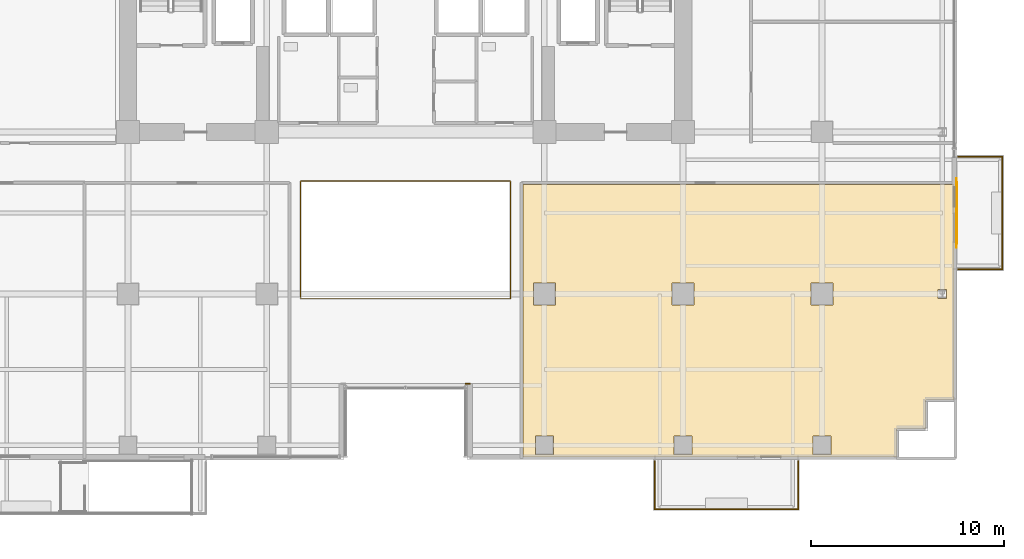
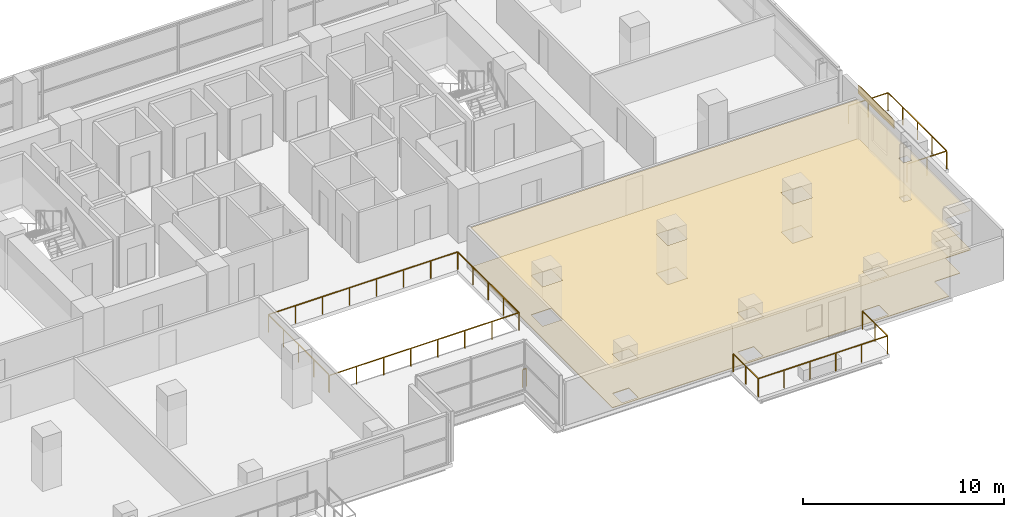
# One storey, part 28 of 30: 4 railings, 3 coverings, 1 shading device.
"""IFC4 building model written with IfcOpenShell, lengths in metres."""

from ifc_helpers import new_model, si_unit, direction, frame, origin, origin_2d, place, context, subcontext, project, spatial, polyline, rectangle, outline, extrude, source, transform, mapped, material, layer, layer_set, type_object, element, save


model = new_model("IFC4")

# Units and contexts
model_context = context("Model", 3, precision=1e-05, world=origin(), true_north=direction((0.0, 1.0)))
body_context = subcontext(model_context, "Body", "Model", "MODEL_VIEW")
ifc_project = project(units=[si_unit("LENGTHUNIT", "METRE"), si_unit("AREAUNIT", "SQUARE_METRE"), si_unit("VOLUMEUNIT", "CUBIC_METRE"), si_unit("PLANEANGLEUNIT", "RADIAN"), si_unit("MASSUNIT", "GRAM", prefix="KILO")], contexts=[model_context])

# Site, building, storey
site_placement = place(None, origin())
site = spatial("IfcSite", under=ifc_project, at=site_placement, CompositionType="ELEMENT")
building_placement = place(site_placement, origin())
building = spatial("IfcBuilding", under=site, at=building_placement, Name="Zarnakvel Exchange Tower", CompositionType="ELEMENT")
storey_placement = place(building_placement, frame((0.0, 0.0, 30.699951171875)))
storey = spatial("IfcBuildingStorey", under=building, at=storey_placement, Name="L07", CompositionType="ELEMENT", Elevation=30.699951171875)

# Coverings
ifc_material_1 = material(Name="Perforated Bronze Acoustic Metal Ceiling", Category="aluminium")
ifc_layer_1 = layer(ifc_material_1, 0.02001953125)
ifc_layer_set_1 = layer_set([ifc_layer_1], Name="Perforated Bronze Acoustic Metal Ceiling")
covering_type_1 = type_object("IfcCoveringType", Name="CLG-01", PredefinedType="CEILING", material=ifc_layer_set_1)
covering_1_placement = place(storey_placement, frame((0.0, 0.0, 2.405029296875)))
element("IfcCovering", 1, at=covering_1_placement, inside=storey, type_object=covering_type_1, Name="L07 Suspended Acoustic Ceiling (Executive Office)", PredefinedType="CEILING", context=body_context, shape_type="SweptSolid", body=[
    extrude(outline(polyline([(6.10009765625, -3.909912109375), (28.449951171875, -3.909912109375), (28.449951171875, -15.080078125), (27.10009765625, -15.080078125), (27.088134765625, -15.08056640625), (27.07666015625, -15.082275390625), (27.065185546875, -15.085205078125), (27.05419921875, -15.089111328125), (27.04345703125, -15.09423828125), (27.033447265625, -15.100341796875), (27.02392578125, -15.107177734375), (27.01513671875, -15.115234375), (27.00732421875, -15.123779296875), (27.000244140625, -15.13330078125), (26.994140625, -15.143310546875), (26.989013671875, -15.154052734375), (26.985107421875, -15.165283203125), (26.982421875, -15.176513671875), (26.98046875, -15.188232421875), (26.97998046875, -15.199951171875), (26.97998046875, -16.580078125), (25.60009765625, -16.580078125), (25.588134765625, -16.58056640625), (25.57666015625, -16.582275390625), (25.565185546875, -16.585205078125), (25.55419921875, -16.589111328125), (25.54345703125, -16.59423828125), (25.533447265625, -16.600341796875), (25.52392578125, -16.607177734375), (25.51513671875, -16.615234375), (25.50732421875, -16.623779296875), (25.500244140625, -16.63330078125), (25.494140625, -16.643310546875), (25.489013671875, -16.654052734375), (25.485107421875, -16.665283203125), (25.482421875, -16.676513671875), (25.48046875, -16.688232421875), (25.47998046875, -16.699951171875), (25.47998046875, -18.050048828125), (6.10009765625, -18.050048828125), (6.10009765625, -3.909912109375)]), holes=[polyline([(28.075927734375, -9.83251953125), (28.075927734375, -9.367431640625), (27.6240234375, -9.367431640625), (27.6240234375, -9.83251953125), (28.075927734375, -9.83251953125)]), polyline([(22.169921875, -10.169921875), (22.169921875, -9.030029296875), (21.030029296875, -9.030029296875), (21.030029296875, -10.169921875), (22.169921875, -10.169921875)]), polyline([(22.070068359375, -17.919921875), (22.070068359375, -16.97998046875), (21.1298828125, -16.97998046875), (21.1298828125, -17.919921875), (22.070068359375, -17.919921875)]), polyline([(13.830078125, -10.169921875), (14.969970703125, -10.169921875), (14.969970703125, -9.030029296875), (13.830078125, -9.030029296875), (13.830078125, -10.169921875)]), polyline([(14.8701171875, -17.919921875), (14.8701171875, -16.97998046875), (13.929931640625, -16.97998046875), (13.929931640625, -17.919921875), (14.8701171875, -17.919921875)]), polyline([(6.6298828125, -10.169921875), (7.77001953125, -10.169921875), (7.77001953125, -9.030029296875), (6.6298828125, -9.030029296875), (6.6298828125, -10.169921875)]), polyline([(7.669921875, -17.919921875), (7.669921875, -16.97998046875), (6.72998046875, -16.97998046875), (6.72998046875, -17.919921875), (7.669921875, -17.919921875)])]), origin(), (0.0, 0.0, 1.0), 0.02001953125),
])
ifc_material_2 = material(Name="Heavy-Duty Raised Access Floor Panel", Category="steel")
ifc_layer_2 = layer(ifc_material_2, 0.034912109375)
ifc_layer_set_2 = layer_set([ifc_layer_2], Name="Heavy-Duty Raised Access Floor Panel")
covering_type_2 = type_object("IfcCoveringType", Name="FLR-02", PredefinedType="FLOORING", material=ifc_layer_set_2)
covering_2_placement = place(storey_placement, origin())
element("IfcCovering", 2, at=covering_2_placement, inside=storey, type_object=covering_type_2, Name="L07 Floor Finish (Executive Office)", PredefinedType="FLOORING", context=body_context, shape_type="SweptSolid", body=[
    extrude(outline(polyline([(6.10009765625, -3.909912109375), (28.449951171875, -3.909912109375), (28.449951171875, -15.080078125), (27.10009765625, -15.080078125), (27.088134765625, -15.08056640625), (27.07666015625, -15.082275390625), (27.065185546875, -15.085205078125), (27.05419921875, -15.089111328125), (27.04345703125, -15.09423828125), (27.033447265625, -15.100341796875), (27.02392578125, -15.107177734375), (27.01513671875, -15.115234375), (27.00732421875, -15.123779296875), (27.000244140625, -15.13330078125), (26.994140625, -15.143310546875), (26.989013671875, -15.154052734375), (26.985107421875, -15.165283203125), (26.982421875, -15.176513671875), (26.98046875, -15.188232421875), (26.97998046875, -15.199951171875), (26.97998046875, -16.580078125), (25.60009765625, -16.580078125), (25.588134765625, -16.58056640625), (25.57666015625, -16.582275390625), (25.565185546875, -16.585205078125), (25.55419921875, -16.589111328125), (25.54345703125, -16.59423828125), (25.533447265625, -16.600341796875), (25.52392578125, -16.607177734375), (25.51513671875, -16.615234375), (25.50732421875, -16.623779296875), (25.500244140625, -16.63330078125), (25.494140625, -16.643310546875), (25.489013671875, -16.654052734375), (25.485107421875, -16.665283203125), (25.482421875, -16.676513671875), (25.48046875, -16.688232421875), (25.47998046875, -16.699951171875), (25.47998046875, -18.050048828125), (6.10009765625, -18.050048828125), (6.10009765625, -3.909912109375)]), holes=[polyline([(28.075927734375, -9.83251953125), (28.075927734375, -9.367431640625), (27.6240234375, -9.367431640625), (27.6240234375, -9.83251953125), (28.075927734375, -9.83251953125)]), polyline([(22.169921875, -10.169921875), (22.169921875, -9.030029296875), (21.030029296875, -9.030029296875), (21.030029296875, -10.169921875), (22.169921875, -10.169921875)]), polyline([(22.070068359375, -17.919921875), (22.070068359375, -16.97998046875), (21.1298828125, -16.97998046875), (21.1298828125, -17.919921875), (22.070068359375, -17.919921875)]), polyline([(13.830078125, -10.169921875), (14.969970703125, -10.169921875), (14.969970703125, -9.030029296875), (13.830078125, -9.030029296875), (13.830078125, -10.169921875)]), polyline([(14.8701171875, -17.919921875), (14.8701171875, -16.97998046875), (13.929931640625, -16.97998046875), (13.929931640625, -17.919921875), (14.8701171875, -17.919921875)]), polyline([(6.6298828125, -10.169921875), (7.77001953125, -10.169921875), (7.77001953125, -9.030029296875), (6.6298828125, -9.030029296875), (6.6298828125, -10.169921875)]), polyline([(7.669921875, -17.919921875), (7.669921875, -16.97998046875), (6.72998046875, -16.97998046875), (6.72998046875, -17.919921875), (7.669921875, -17.919921875)])]), origin(), (0.0, 0.0, 1.0), 0.03515625),
])

# Railings
ifc_material_3 = material(Name="Architectural Bronze Anodised Aluminium", Category="aluminium")
railing_type_1 = type_object("IfcRailingType", Name="GR-02", PredefinedType="GUARDRAIL", material=ifc_material_3)
railing_1_placement = place(storey_placement, frame((12.929931640625, -18.280029296875, -0.034912109375)))
element("IfcRailing", 3, at=railing_1_placement, inside=storey, type_object=railing_type_1, Name="L07 Balcony Guardrail BAL-L07-SE", PredefinedType="GUARDRAIL", context=body_context, shape_type="SweptSolid", body=[
    extrude(rectangle(XDim=0.048095703125, YDim=0.048095703125, at=origin_2d()), frame((0.0, 0.0, 1.09619140625), z_axis=(0.0, -1.0, 0.0), x_axis=(1.0, 0.0, 0.0)), (0.0, 0.0, 1.0), 2.489990234375),
    extrude(rectangle(XDim=0.048095703125, YDim=0.048095703125, at=origin_2d()), frame((0.0, -2.489990234375, 1.09619140625), z_axis=(1.0, 0.0, 0.0), x_axis=(0.0, 1.0, 0.0)), (0.0, 0.0, 1.0), 7.440185546875),
    extrude(rectangle(XDim=0.048095703125, YDim=0.048095703125, at=origin_2d()), frame((7.440185546875, -2.489990234375, 1.09619140625), z_axis=(0.0, 1.0, 0.0), x_axis=(-1.0, 0.0, 0.0)), (0.0, 0.0, 1.0), 2.489990234375),
    extrude(rectangle(XDim=0.0419921875, YDim=0.0419921875, at=origin_2d()), origin(), (0.0, 0.0, 1.0), 1.072021484375),
    extrude(rectangle(XDim=0.0419921875, YDim=0.0419921875, at=origin_2d()), frame((0.0, -1.2451171875, 0.0)), (0.0, 0.0, 1.0), 1.072021484375),
    extrude(rectangle(XDim=0.0419921875, YDim=0.0419921875, at=origin_2d()), frame((0.0, -2.489990234375, 0.0)), (0.0, 0.0, 1.0), 1.072021484375),
    extrude(rectangle(XDim=0.0419921875, YDim=0.0419921875, at=origin_2d()), frame((1.488037109375, -2.489990234375, 0.0)), (0.0, 0.0, 1.0), 1.072021484375),
    extrude(rectangle(XDim=0.0419921875, YDim=0.0419921875, at=origin_2d()), frame((2.97607421875, -2.489990234375, 0.0)), (0.0, 0.0, 1.0), 1.072021484375),
    extrude(rectangle(XDim=0.0419921875, YDim=0.0419921875, at=origin_2d()), frame((4.464111328125, -2.489990234375, 0.0)), (0.0, 0.0, 1.0), 1.072021484375),
    extrude(rectangle(XDim=0.0419921875, YDim=0.0419921875, at=origin_2d()), frame((5.9521484375, -2.489990234375, 0.0)), (0.0, 0.0, 1.0), 1.072021484375),
    extrude(rectangle(XDim=0.0419921875, YDim=0.0419921875, at=origin_2d()), frame((7.440185546875, -2.489990234375, 0.0)), (0.0, 0.0, 1.0), 1.072021484375),
    extrude(rectangle(XDim=0.0419921875, YDim=0.0419921875, at=origin_2d()), frame((7.440185546875, -1.2451171875, 0.0)), (0.0, 0.0, 1.0), 1.072021484375),
    extrude(rectangle(XDim=0.0419921875, YDim=0.0419921875, at=origin_2d()), frame((7.440185546875, 0.0, 0.0)), (0.0, 0.0, 1.0), 1.072021484375),
])
railing_2_placement = place(storey_placement, frame((28.679931640625, -8.320068359375, -0.034912109375)))
element("IfcRailing", 4, at=railing_2_placement, inside=storey, type_object=railing_type_1, Name="L07 Balcony Guardrail BAL-L07-E", PredefinedType="GUARDRAIL", context=body_context, shape_type="SweptSolid", body=[
    extrude(rectangle(XDim=0.048095703125, YDim=0.048095703125, at=origin_2d()), frame((0.0, 0.0, 1.09619140625), z_axis=(1.0, 0.0, 0.0), x_axis=(0.0, 1.0, 0.0)), (0.0, 0.0, 1.0), 2.2900390625),
    extrude(rectangle(XDim=0.048095703125, YDim=0.048095703125, at=origin_2d()), frame((2.2900390625, 0.0, 1.09619140625), z_axis=(0.0, 1.0, 0.0), x_axis=(-1.0, 0.0, 0.0)), (0.0, 0.0, 1.0), 5.840087890625),
    extrude(rectangle(XDim=0.048095703125, YDim=0.048095703125, at=origin_2d()), frame((2.2900390625, 5.840087890625, 1.09619140625), z_axis=(-1.0, 0.0, 0.0), x_axis=(0.0, -1.0, 0.0)), (0.0, 0.0, 1.0), 2.2900390625),
    extrude(rectangle(XDim=0.0419921875, YDim=0.0419921875, at=origin_2d()), origin(), (0.0, 0.0, 1.0), 1.072021484375),
    extrude(rectangle(XDim=0.0419921875, YDim=0.0419921875, at=origin_2d()), frame((1.14501953125, 0.0, 0.0)), (0.0, 0.0, 1.0), 1.072021484375),
    extrude(rectangle(XDim=0.0419921875, YDim=0.0419921875, at=origin_2d()), frame((2.2900390625, 0.0, 0.0)), (0.0, 0.0, 1.0), 1.072021484375),
    extrude(rectangle(XDim=0.0419921875, YDim=0.0419921875, at=origin_2d()), frame((2.2900390625, 1.4599609375, 0.0)), (0.0, 0.0, 1.0), 1.072021484375),
    extrude(rectangle(XDim=0.0419921875, YDim=0.0419921875, at=origin_2d()), frame((2.2900390625, 2.919921875, 0.0)), (0.0, 0.0, 1.0), 1.072021484375),
    extrude(rectangle(XDim=0.0419921875, YDim=0.0419921875, at=origin_2d()), frame((2.2900390625, 4.380126953125, 0.0)), (0.0, 0.0, 1.0), 1.072021484375),
    extrude(rectangle(XDim=0.0419921875, YDim=0.0419921875, at=origin_2d()), frame((2.2900390625, 5.840087890625, 0.0)), (0.0, 0.0, 1.0), 1.072021484375),
    extrude(rectangle(XDim=0.0419921875, YDim=0.0419921875, at=origin_2d()), frame((1.14501953125, 5.840087890625, 0.0)), (0.0, 0.0, 1.0), 1.072021484375),
    extrude(rectangle(XDim=0.0419921875, YDim=0.0419921875, at=origin_2d()), frame((0.0, 5.840087890625, 0.0)), (0.0, 0.0, 1.0), 1.072021484375),
])
railing_3_placement = place(storey_placement, frame((3.340087890625, -14.260009765625, 0.0)))
element("IfcRailing", 5, at=railing_3_placement, inside=storey, type_object=railing_type_1, Name="L07 Corner Spandrel Balustrade #18", PredefinedType="GUARDRAIL", context=body_context, shape_type="SweptSolid", body=[
    extrude(rectangle(XDim=0.048095703125, YDim=0.048095703125, at=origin_2d()), frame((0.0, 0.0, 1.09619140625), z_axis=(-1.0, 0.0, 0.0), x_axis=(0.0, -1.0, 0.0)), (0.0, 0.0, 1.0), 0.219970703125),
    extrude(rectangle(XDim=0.0419921875, YDim=0.0419921875, at=origin_2d()), origin(), (0.0, 0.0, 1.0), 1.072021484375),
    extrude(rectangle(XDim=0.0419921875, YDim=0.0419921875, at=origin_2d()), frame((-0.219970703125, 0.0, 0.0)), (0.0, 0.0, 1.0), 1.072021484375),
])
railing_type_2 = type_object("IfcRailingType", Name="GR-03", PredefinedType="GUARDRAIL", material=ifc_material_3)
railing_4_placement = place(storey_placement, frame((-5.449951171875, -9.85009765625, 0.0)))
element("IfcRailing", 6, at=railing_4_placement, inside=storey, type_object=railing_type_2, Name="L07 Atrium Void Perimeter Balustrade", PredefinedType="GUARDRAIL", context=body_context, shape_type="SweptSolid", body=[
    extrude(rectangle(XDim=0.048095703125, YDim=0.048095703125, at=origin_2d()), frame((0.0, 0.0, 1.076171875), z_axis=(1.0, 0.0, 0.0), x_axis=(0.0, 1.0, 0.0)), (0.0, 0.0, 1.0), 10.89990234375),
    extrude(rectangle(XDim=0.048095703125, YDim=0.048095703125, at=origin_2d()), frame((10.89990234375, 0.0, 1.076171875), z_axis=(0.0, 1.0, 0.0), x_axis=(-1.0, 0.0, 0.0)), (0.0, 0.0, 1.0), 6.10009765625),
    extrude(rectangle(XDim=0.048095703125, YDim=0.048095703125, at=origin_2d()), frame((10.89990234375, 6.10009765625, 1.076171875), z_axis=(-1.0, 0.0, 0.0), x_axis=(0.0, -1.0, 0.0)), (0.0, 0.0, 1.0), 10.89990234375),
    extrude(rectangle(XDim=0.048095703125, YDim=0.048095703125, at=origin_2d()), frame((0.0, 6.10009765625, 1.076171875), z_axis=(0.0, -1.0, 0.0), x_axis=(1.0, 0.0, 0.0)), (0.0, 0.0, 1.0), 6.02001953125),
    extrude(rectangle(XDim=0.0419921875, YDim=0.0419921875, at=origin_2d()), origin(), (0.0, 0.0, 1.0), 1.052001953125),
    extrude(rectangle(XDim=0.0419921875, YDim=0.0419921875, at=origin_2d()), frame((1.55712890625, 0.0, 0.0)), (0.0, 0.0, 1.0), 1.052001953125),
    extrude(rectangle(XDim=0.0419921875, YDim=0.0419921875, at=origin_2d()), frame((3.1142578125, 0.0, 0.0)), (0.0, 0.0, 1.0), 1.052001953125),
    extrude(rectangle(XDim=0.0419921875, YDim=0.0419921875, at=origin_2d()), frame((4.67138671875, 0.0, 0.0)), (0.0, 0.0, 1.0), 1.052001953125),
    extrude(rectangle(XDim=0.0419921875, YDim=0.0419921875, at=origin_2d()), frame((6.228515625, 0.0, 0.0)), (0.0, 0.0, 1.0), 1.052001953125),
    extrude(rectangle(XDim=0.0419921875, YDim=0.0419921875, at=origin_2d()), frame((7.78564453125, 0.0, 0.0)), (0.0, 0.0, 1.0), 1.052001953125),
    extrude(rectangle(XDim=0.0419921875, YDim=0.0419921875, at=origin_2d()), frame((9.3427734375, 0.0, 0.0)), (0.0, 0.0, 1.0), 1.052001953125),
    extrude(rectangle(XDim=0.0419921875, YDim=0.0419921875, at=origin_2d()), frame((10.89990234375, 0.0, 0.0)), (0.0, 0.0, 1.0), 1.052001953125),
    extrude(rectangle(XDim=0.0419921875, YDim=0.0419921875, at=origin_2d()), frame((10.89990234375, 1.52490234375, 0.0)), (0.0, 0.0, 1.0), 1.052001953125),
    extrude(rectangle(XDim=0.0419921875, YDim=0.0419921875, at=origin_2d()), frame((10.89990234375, 3.050048828125, 0.0)), (0.0, 0.0, 1.0), 1.052001953125),
    extrude(rectangle(XDim=0.0419921875, YDim=0.0419921875, at=origin_2d()), frame((10.89990234375, 4.5751953125, 0.0)), (0.0, 0.0, 1.0), 1.052001953125),
    extrude(rectangle(XDim=0.0419921875, YDim=0.0419921875, at=origin_2d()), frame((10.89990234375, 6.10009765625, 0.0)), (0.0, 0.0, 1.0), 1.052001953125),
    extrude(rectangle(XDim=0.0419921875, YDim=0.0419921875, at=origin_2d()), frame((9.3427734375, 6.10009765625, 0.0)), (0.0, 0.0, 1.0), 1.052001953125),
    extrude(rectangle(XDim=0.0419921875, YDim=0.0419921875, at=origin_2d()), frame((7.78564453125, 6.10009765625, 0.0)), (0.0, 0.0, 1.0), 1.052001953125),
    extrude(rectangle(XDim=0.0419921875, YDim=0.0419921875, at=origin_2d()), frame((6.228515625, 6.10009765625, 0.0)), (0.0, 0.0, 1.0), 1.052001953125),
    extrude(rectangle(XDim=0.0419921875, YDim=0.0419921875, at=origin_2d()), frame((4.67138671875, 6.10009765625, 0.0)), (0.0, 0.0, 1.0), 1.052001953125),
    extrude(rectangle(XDim=0.0419921875, YDim=0.0419921875, at=origin_2d()), frame((3.1142578125, 6.10009765625, 0.0)), (0.0, 0.0, 1.0), 1.052001953125),
    extrude(rectangle(XDim=0.0419921875, YDim=0.0419921875, at=origin_2d()), frame((1.55712890625, 6.10009765625, 0.0)), (0.0, 0.0, 1.0), 1.052001953125),
    extrude(rectangle(XDim=0.0419921875, YDim=0.0419921875, at=origin_2d()), frame((0.0, 6.10009765625, 0.0)), (0.0, 0.0, 1.0), 1.052001953125),
    extrude(rectangle(XDim=0.0419921875, YDim=0.0419921875, at=origin_2d()), frame((0.0, 4.59521484375, 0.0)), (0.0, 0.0, 1.0), 1.052001953125),
    extrude(rectangle(XDim=0.0419921875, YDim=0.0419921875, at=origin_2d()), frame((0.0, 3.090087890625, 0.0)), (0.0, 0.0, 1.0), 1.052001953125),
    extrude(rectangle(XDim=0.0419921875, YDim=0.0419921875, at=origin_2d()), frame((0.0, 1.5849609375, 0.0)), (0.0, 0.0, 1.0), 1.052001953125),
    extrude(rectangle(XDim=0.0419921875, YDim=0.0419921875, at=origin_2d()), frame((0.0, 0.080078125, 0.0)), (0.0, 0.0, 1.0), 1.052001953125),
])

# Covering
ifc_material_4 = material(Name="Warm Sandstone Terracotta Spandrel Tile", Category="masonry")
ifc_layer_3 = layer(ifc_material_4, 0.031982421875)
ifc_layer_set_3 = layer_set([ifc_layer_3], Name="Warm Sandstone Terracotta Spandrel Tile")
covering_type_3 = type_object("IfcCoveringType", Name="CL-02", PredefinedType="CLADDING", material=ifc_layer_set_3)
shared_shape_1 = source(origin(), body_context, "Body", "SweptSolid", [
    extrude(rectangle(XDim=3.60009765625, YDim=0.031982421875, at=origin_2d()), origin(), (0.0, 0.0, 1.0), 0.4951171875),
])
covering_3_placement = place(storey_placement, frame((28.593994140625, -5.39990234375, 2.56005859375), z_axis=(0.0, 0.0, 1.0), x_axis=(0.0, -1.0, 0.0)))
element("IfcCovering", 7, at=covering_3_placement, inside=storey, type_object=covering_type_3, Name="L07 Ceramic Spandrel Tilework CL-02", PredefinedType="CLADDING", context=body_context, shape_type="MappedRepresentation", body=[
    mapped(shared_shape_1, transform((0.0, 0.0, 0.0), x_axis=(1.0, 0.0, 0.0), y_axis=(0.0, 1.0, 0.0), z_axis=(0.0, 0.0, 1.0), scale=1.0)),
])

# Shading device
ifc_material_5 = material(Name="Perforated Architectural Bronze Screen", Category="aluminium")
ifc_layer_4 = layer(ifc_material_5, 0.044921875)
ifc_layer_set_4 = layer_set([ifc_layer_4], Name="Perforated Architectural Bronze Screen")
shading_device_type = type_object("IfcShadingDeviceType", Name="SS-01", PredefinedType="JALOUSIE", material=ifc_layer_set_4)
shared_shape_2 = source(origin(), body_context, "Body", "SweptSolid", [
    extrude(rectangle(XDim=3.199951171875, YDim=0.044921875, at=origin_2d()), origin(), (0.0, 0.0, 1.0), 0.4951171875),
])
shading_device_placement = place(storey_placement, frame((28.6005859375, -5.39990234375, 2.56005859375), z_axis=(0.0, 0.0, 1.0), x_axis=(0.0, -1.0, 0.0)))
element("IfcShadingDevice", 8, at=shading_device_placement, inside=storey, type_object=shading_device_type, Name="L07 Bronze Solar Shading Screen SS-01", PredefinedType="JALOUSIE", context=body_context, shape_type="MappedRepresentation", body=[
    mapped(shared_shape_2, transform((0.0, 0.0, 0.0), x_axis=(1.0, 0.0, 0.0), y_axis=(0.0, 1.0, 0.0), z_axis=(0.0, 0.0, 1.0), scale=1.0)),
])

save(model, "model.ifc")
